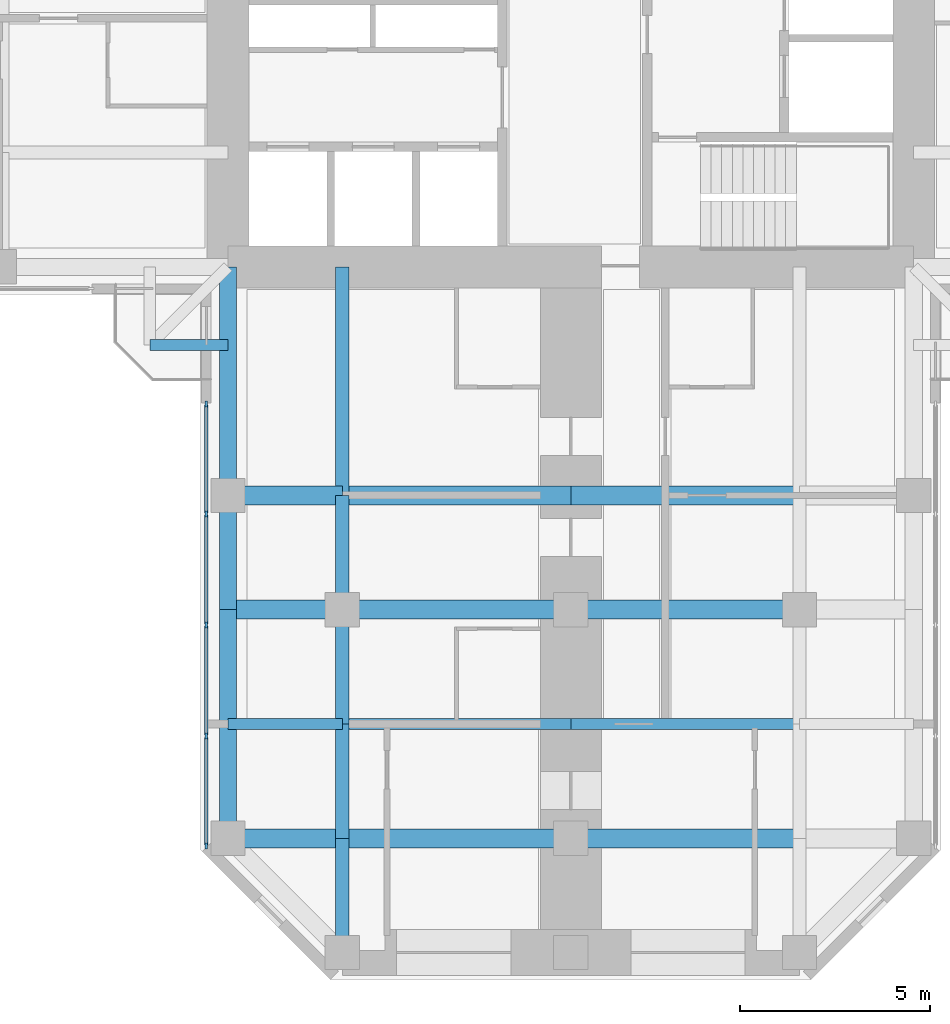
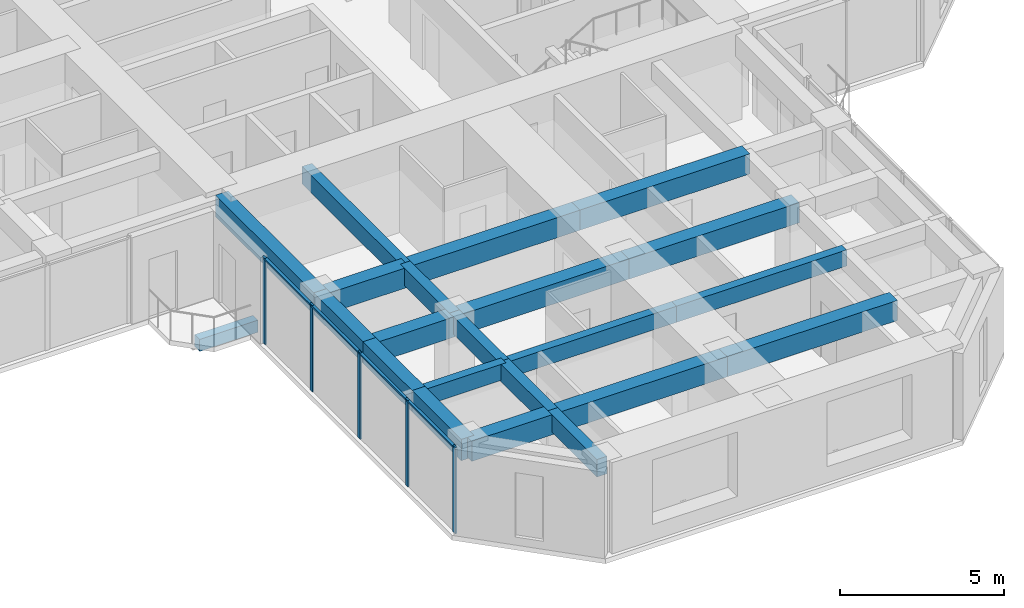
# One storey, part 2 of 14: 22 beams, 9 members, 1 element without a shape of its own.
"""IFC4 building model written with IfcOpenShell, lengths in metres."""

from ifc_helpers import new_model, si_unit, direction, frame, origin, origin_2d, place, context, subcontext, project, spatial, rectangle, extrude, material, material_profile, profile_set, type_object, element, aggregate, save


model = new_model("IFC4")

# Units and contexts
model_context = context("Model", 3, precision=1e-05, world=origin(), true_north=direction((0.0, 1.0)))
body_context = subcontext(model_context, "Body", "Model", "MODEL_VIEW")
ifc_project = project(units=[si_unit("LENGTHUNIT", "METRE"), si_unit("AREAUNIT", "SQUARE_METRE"), si_unit("VOLUMEUNIT", "CUBIC_METRE"), si_unit("PLANEANGLEUNIT", "RADIAN"), si_unit("MASSUNIT", "GRAM", prefix="KILO")], contexts=[model_context])

# Site, building, storey
site_placement = place(None, origin())
site = spatial("IfcSite", under=ifc_project, at=site_placement, CompositionType="ELEMENT")
building_placement = place(site_placement, origin())
building = spatial("IfcBuilding", under=site, at=building_placement, Name="Torre Cruceta", CompositionType="ELEMENT")
storey_placement = place(building_placement, frame((0.0, 0.0, 203.5)))
storey = spatial("IfcBuildingStorey", under=building, at=storey_placement, Name="L51", CompositionType="ELEMENT", Elevation=203.5)

# Beams
ifc_material_1 = material(Name="Concrete G60 (fck 60 MPa)", Category="concrete")
ifc_material_profile_1 = material_profile(ifc_material_1, rectangle(XDim=0.300048828125, YDim=0.449951171875, at=origin_2d()), Name="RC 300X450")
ifc_profile_set_1 = profile_set([ifc_material_profile_1], Name="Concrete G60 (fck 60 MPa)")
beam_type_1 = type_object("IfcBeamType", Name="BALCONY CANTILEVER BEAM RC 300X450", PredefinedType="BEAM", material=ifc_profile_set_1)
beam_1_placement = place(storey_placement, frame((-9.0, -11.050537109375, -0.405029296875), z_axis=(-1.0, 0.0, 0.0), x_axis=(0.0, -1.0, 0.0)))
element("IfcBeam", 1, at=beam_1_placement, inside=storey, type_object=beam_type_1, Name="BB1 balcony edge beam L51 W-Y", PredefinedType="BEAM", context=body_context, shape_type="SweptSolid", body=[
    extrude(rectangle(XDim=0.300048828125, YDim=0.449951171875, at=origin_2d()), origin(), (0.0, 0.0, 1.0), 2.050537109375),
])
ifc_material_2 = material(Name="Concrete G60 (fck 60 MPa)", Category="concrete")
ifc_material_profile_2 = material_profile(ifc_material_2, rectangle(XDim=0.35009765625, YDim=0.64990234375, at=origin_2d()), Name="RC 350X650")
ifc_profile_set_2 = profile_set([ifc_material_profile_2], Name="Concrete G60 (fck 60 MPa)")
beam_type_2 = type_object("IfcBeamType", Name="COLUMN LINE BEAM RC 350X650", PredefinedType="BEAM", material=ifc_profile_set_2)
beam_2_placement = place(storey_placement, frame((-6.0, -9.0, 2.89501953125), z_axis=(0.0, -1.0, 0.0), x_axis=(1.0, 0.0, 0.0)))
element("IfcBeam", 2, at=beam_2_placement, inside=storey, type_object=beam_type_2, Name="LB7 L51 S col- 1", PredefinedType="BEAM", context=body_context, shape_type="SweptSolid", body=[
    extrude(rectangle(XDim=0.35009765625, YDim=0.64990234375, at=origin_2d()), origin(), (0.0, 0.0, 1.0), 6.0),
])
for number, where, z_axis, x_axis, name in (
    (3, (-6.0, -15.0, 2.89501953125), (0.0, -1.0, 0.0), (1.0, 0.0, 0.0), "LB7 L51 S col- 2"),
    (4, (-6.0, -18.0, 2.89501953125), (0.0, -1.0, 0.0), (1.0, 0.0, 0.0), "LB7 L51 S col- 3"),
    (5, (-6.0, -21.0, 2.89501953125), (0.0, -1.0, 0.0), (1.0, 0.0, 0.0), "LB7 L51 S col- 4"),
    (6, (-6.0, -24.0, 2.89501953125), (0.0, -1.0, 0.0), (1.0, 0.0, 0.0), "LB7 L51 S col- 5"),
):
    element("IfcBeam", number, at=place(storey_placement, frame(where, z_axis=z_axis, x_axis=x_axis)), inside=storey, type_object=beam_type_2, Name=name, PredefinedType="BEAM", context=body_context, shape_type="SweptSolid", body=[
        extrude(rectangle(XDim=0.35009765625, YDim=0.64990234375, at=origin_2d()), origin(), (0.0, 0.0, 1.0), 3.0),
    ])
ifc_material_3 = material(Name="Concrete G60 (fck 60 MPa)", Category="concrete")
ifc_material_profile_3 = material_profile(ifc_material_3, rectangle(XDim=0.5, YDim=0.75, at=origin_2d()), Name="RC 500X750")
ifc_profile_set_3 = profile_set([ifc_material_profile_3], Name="Concrete G60 (fck 60 MPa)")
beam_type_3 = type_object("IfcBeamType", Name="CROSS BEAM RC 500X750", PredefinedType="BEAM", material=ifc_profile_set_3)
beam_3_placement = place(storey_placement, frame((-9.0, -15.0, 2.844970703125), z_axis=(1.0, 0.0, 0.0), x_axis=(0.0, 1.0, 0.0)))
element("IfcBeam", 7, at=beam_3_placement, inside=storey, type_object=beam_type_3, Name="GB6 L51 S cross15 1", PredefinedType="BEAM", context=body_context, shape_type="SweptSolid", body=[
    extrude(rectangle(XDim=0.5, YDim=0.75, at=origin_2d()), origin(), (0.0, 0.0, 1.0), 3.0),
])
for number, where, z_axis, x_axis, name in (
    (8, (-6.0, -15.0, 2.844970703125), (1.0, 0.0, 0.0), (0.0, 1.0, 0.0), "GB6 L51 S cross15 2"),
    (9, (0.0, -15.0, 2.844970703125), (1.0, 0.0, 0.0), (0.0, 1.0, 0.0), "GB6 L51 S cross15 3"),
):
    element("IfcBeam", number, at=place(storey_placement, frame(where, z_axis=z_axis, x_axis=x_axis)), inside=storey, type_object=beam_type_3, Name=name, PredefinedType="BEAM", context=body_context, shape_type="SweptSolid", body=[
        extrude(rectangle(XDim=0.5, YDim=0.75, at=origin_2d()), origin(), (0.0, 0.0, 1.0), 6.0),
    ])
beam_4_placement = place(storey_placement, frame((-9.0, -18.0, 2.844970703125), z_axis=(1.0, 0.0, 0.0), x_axis=(0.0, 1.0, 0.0)))
element("IfcBeam", 10, at=beam_4_placement, inside=storey, type_object=beam_type_3, Name="GB6 L51 S cross18 1", PredefinedType="BEAM", context=body_context, shape_type="SweptSolid", body=[
    extrude(rectangle(XDim=0.5, YDim=0.75, at=origin_2d()), origin(), (0.0, 0.0, 1.0), 3.0),
])
for number, where, z_axis, x_axis, name in (
    (11, (-6.0, -18.0, 2.844970703125), (1.0, 0.0, 0.0), (0.0, 1.0, 0.0), "GB6 L51 S cross18 2"),
    (12, (0.0, -18.0, 2.844970703125), (1.0, 0.0, 0.0), (0.0, 1.0, 0.0), "GB6 L51 S cross18 3"),
):
    element("IfcBeam", number, at=place(storey_placement, frame(where, z_axis=z_axis, x_axis=x_axis)), inside=storey, type_object=beam_type_3, Name=name, PredefinedType="BEAM", context=body_context, shape_type="SweptSolid", body=[
        extrude(rectangle(XDim=0.5, YDim=0.75, at=origin_2d()), origin(), (0.0, 0.0, 1.0), 6.0),
    ])
beam_5_placement = place(storey_placement, frame((-9.0, -24.0, 2.844970703125), z_axis=(1.0, 0.0, 0.0), x_axis=(0.0, 1.0, 0.0)))
element("IfcBeam", 13, at=beam_5_placement, inside=storey, type_object=beam_type_3, Name="GB6 L51 S cross24 1", PredefinedType="BEAM", context=body_context, shape_type="SweptSolid", body=[
    extrude(rectangle(XDim=0.5, YDim=0.75, at=origin_2d()), origin(), (0.0, 0.0, 1.0), 3.0),
])
for number, where, z_axis, x_axis, name in (
    (14, (-6.0, -24.0, 2.844970703125), (1.0, 0.0, 0.0), (0.0, 1.0, 0.0), "GB6 L51 S cross24 2"),
    (15, (0.0, -24.0, 2.844970703125), (1.0, 0.0, 0.0), (0.0, 1.0, 0.0), "GB6 L51 S cross24 3"),
):
    element("IfcBeam", number, at=place(storey_placement, frame(where, z_axis=z_axis, x_axis=x_axis)), inside=storey, type_object=beam_type_3, Name=name, PredefinedType="BEAM", context=body_context, shape_type="SweptSolid", body=[
        extrude(rectangle(XDim=0.5, YDim=0.75, at=origin_2d()), origin(), (0.0, 0.0, 1.0), 6.0),
    ])

# Curtain wall, members
ifc_material_4 = material(Name="Aluminium unitised curtain wall", Category="aluminium")
curtain_wall_type = type_object("IfcCurtainWallType", Name="CURTAIN WALL CW-C CO-LIVING", PredefinedType="USERDEFINED", material=ifc_material_4)
curtain_wall_placement = place(storey_placement, origin())
curtain_wall = element("IfcCurtainWall", 16, at=curtain_wall_placement, inside=storey, type_object=curtain_wall_type, Name="CW-C L51 S side 15", ObjectType="UNITISED", PredefinedType="USERDEFINED")
ifc_material_5 = material(Name="Aluminium mullion", Category="aluminium")
ifc_material_profile_4 = material_profile(ifc_material_5, rectangle(XDim=0.06005859375, YDim=0.159912109375, at=origin_2d()), Name="AL 60X160")
ifc_profile_set_4 = profile_set([ifc_material_profile_4], Name="Aluminium mullion")
member_type_1 = type_object("IfcMemberType", Name="CW-C MULLION 60X160", PredefinedType="MULLION", material=ifc_profile_set_4)
member_1_placement = place(storey_placement, frame((-9.570068359375, -12.60009765625, 0.0), z_axis=(0.0, 0.0, 1.0), x_axis=(1.0, 0.0, 0.0)))
member_1 = element("IfcMember", 17, at=member_1_placement, type_object=member_type_1, Name="CW-C mullion 1", PredefinedType="MULLION", context=body_context, shape_type="SweptSolid", body=[
    extrude(rectangle(XDim=0.06005859375, YDim=0.159912109375, at=origin_2d()), origin(), (0.0, 0.0, 1.0), 3.219970703125),
])
member_2_placement = place(storey_placement, frame((-9.570068359375, -15.486572265625, 0.0), z_axis=(0.0, 0.0, 1.0), x_axis=(1.0, 0.0, 0.0)))
member_2 = element("IfcMember", 18, at=member_2_placement, type_object=member_type_1, Name="CW-C mullion 2", PredefinedType="MULLION", context=body_context, shape_type="SweptSolid", body=[
    extrude(rectangle(XDim=0.06005859375, YDim=0.159912109375, at=origin_2d()), origin(), (0.0, 0.0, 1.0), 3.219970703125),
])
member_3_placement = place(storey_placement, frame((-9.570068359375, -18.403076171875, 0.0), z_axis=(0.0, 0.0, 1.0), x_axis=(1.0, 0.0, 0.0)))
member_3 = element("IfcMember", 19, at=member_3_placement, type_object=member_type_1, Name="CW-C mullion 3", PredefinedType="MULLION", context=body_context, shape_type="SweptSolid", body=[
    extrude(rectangle(XDim=0.06005859375, YDim=0.159912109375, at=origin_2d()), origin(), (0.0, 0.0, 1.0), 3.219970703125),
])
member_4_placement = place(storey_placement, frame((-9.570068359375, -21.319580078125, 0.0), z_axis=(0.0, 0.0, 1.0), x_axis=(1.0, 0.0, 0.0)))
member_4 = element("IfcMember", 20, at=member_4_placement, type_object=member_type_1, Name="CW-C mullion 4", PredefinedType="MULLION", context=body_context, shape_type="SweptSolid", body=[
    extrude(rectangle(XDim=0.06005859375, YDim=0.159912109375, at=origin_2d()), origin(), (0.0, 0.0, 1.0), 3.219970703125),
])
member_5_placement = place(storey_placement, frame((-9.570068359375, -24.2060546875, 0.0), z_axis=(0.0, 0.0, 1.0), x_axis=(1.0, 0.0, 0.0)))
member_5 = element("IfcMember", 21, at=member_5_placement, type_object=member_type_1, Name="CW-C mullion 5", PredefinedType="MULLION", context=body_context, shape_type="SweptSolid", body=[
    extrude(rectangle(XDim=0.06005859375, YDim=0.159912109375, at=origin_2d()), origin(), (0.0, 0.0, 1.0), 3.219970703125),
])
ifc_material_6 = material(Name="Aluminium transom", Category="aluminium")
ifc_material_profile_5 = material_profile(ifc_material_6, rectangle(XDim=0.10009765625, YDim=0.06005859375, at=origin_2d()), Name="AL 100X60")
ifc_profile_set_5 = profile_set([ifc_material_profile_5], Name="Aluminium transom")
member_type_2 = type_object("IfcMemberType", Name="CW-C TRANSOM 60X100", PredefinedType="USERDEFINED", material=ifc_profile_set_5)
member_6_placement = place(storey_placement, frame((-9.570068359375, -12.6298828125, 3.18994140625), z_axis=(0.0, -1.0, 0.0), x_axis=(1.0, 0.0, 0.0)))
member_6 = element("IfcMember", 22, at=member_6_placement, type_object=member_type_2, Name="CW-C transom 1", ObjectType="TRANSOM", PredefinedType="USERDEFINED", context=body_context, shape_type="SweptSolid", body=[
    extrude(rectangle(XDim=0.10009765625, YDim=0.06005859375, at=origin_2d()), origin(), (0.0, 0.0, 1.0), 2.82666015625),
])
member_7_placement = place(storey_placement, frame((-9.570068359375, -15.5166015625, 3.18994140625), z_axis=(0.0, -1.0, 0.0), x_axis=(1.0, 0.0, 0.0)))
member_7 = element("IfcMember", 23, at=member_7_placement, type_object=member_type_2, Name="CW-C transom 2", ObjectType="TRANSOM", PredefinedType="USERDEFINED", context=body_context, shape_type="SweptSolid", body=[
    extrude(rectangle(XDim=0.10009765625, YDim=0.06005859375, at=origin_2d()), origin(), (0.0, 0.0, 1.0), 2.8564453125),
])
member_8_placement = place(storey_placement, frame((-9.570068359375, -18.43310546875, 3.18994140625), z_axis=(0.0, -1.0, 0.0), x_axis=(1.0, 0.0, 0.0)))
member_8 = element("IfcMember", 24, at=member_8_placement, type_object=member_type_2, Name="CW-C transom 3", ObjectType="TRANSOM", PredefinedType="USERDEFINED", context=body_context, shape_type="SweptSolid", body=[
    extrude(rectangle(XDim=0.10009765625, YDim=0.06005859375, at=origin_2d()), origin(), (0.0, 0.0, 1.0), 2.8564453125),
])
member_9_placement = place(storey_placement, frame((-9.570068359375, -21.349609375, 3.18994140625), z_axis=(0.0, -1.0, 0.0), x_axis=(1.0, 0.0, 0.0)))
member_9 = element("IfcMember", 25, at=member_9_placement, type_object=member_type_2, Name="CW-C transom 4", ObjectType="TRANSOM", PredefinedType="USERDEFINED", context=body_context, shape_type="SweptSolid", body=[
    extrude(rectangle(XDim=0.10009765625, YDim=0.06005859375, at=origin_2d()), origin(), (0.0, 0.0, 1.0), 2.826416015625),
])
aggregate(curtain_wall, [member_1, member_2, member_3, member_4, member_5, member_6, member_7, member_8, member_9])

# Beams
ifc_material_7 = material(Name="Concrete G60 (fck 60 MPa)", Category="concrete")
ifc_material_profile_6 = material_profile(ifc_material_7, rectangle(XDim=0.300048828125, YDim=0.60009765625, at=origin_2d()), Name="RC 300X600")
ifc_profile_set_6 = profile_set([ifc_material_profile_6], Name="Concrete G60 (fck 60 MPa)")
beam_type_4 = type_object("IfcBeamType", Name="SECONDARY BEAM RC 300X600", PredefinedType="JOIST", material=ifc_profile_set_6)
beam_6_placement = place(storey_placement, frame((-9.0, -21.0, 2.919921875), z_axis=(1.0, 0.0, 0.0), x_axis=(0.0, 1.0, 0.0)))
element("IfcBeam", 26, at=beam_6_placement, inside=storey, type_object=beam_type_4, Name="JB6 L51 S sec21 1", PredefinedType="JOIST", context=body_context, shape_type="SweptSolid", body=[
    extrude(rectangle(XDim=0.300048828125, YDim=0.60009765625, at=origin_2d()), origin(), (0.0, 0.0, 1.0), 3.0),
])
for number, where, z_axis, x_axis, name in (
    (27, (-6.0, -21.0, 2.919921875), (1.0, 0.0, 0.0), (0.0, 1.0, 0.0), "JB6 L51 S sec21 2"),
    (28, (0.0, -21.0, 2.919921875), (1.0, 0.0, 0.0), (0.0, 1.0, 0.0), "JB6 L51 S sec21 3"),
):
    element("IfcBeam", number, at=place(storey_placement, frame(where, z_axis=z_axis, x_axis=x_axis)), inside=storey, type_object=beam_type_4, Name=name, PredefinedType="JOIST", context=body_context, shape_type="SweptSolid", body=[
        extrude(rectangle(XDim=0.300048828125, YDim=0.60009765625, at=origin_2d()), origin(), (0.0, 0.0, 1.0), 6.0),
    ])
ifc_material_8 = material(Name="Concrete G60 (fck 60 MPa)", Category="concrete")
ifc_material_profile_7 = material_profile(ifc_material_8, rectangle(XDim=0.449951171875, YDim=0.800048828125, at=origin_2d()), Name="RC 450X800")
ifc_profile_set_7 = profile_set([ifc_material_profile_7], Name="Concrete G60 (fck 60 MPa)")
beam_type_5 = type_object("IfcBeamType", Name="SPANDREL BEAM RC 450X800", PredefinedType="SPANDREL", material=ifc_profile_set_7)
beam_7_placement = place(storey_placement, frame((-9.0, -9.0, 2.820068359375), z_axis=(0.0, -1.0, 0.0), x_axis=(1.0, 0.0, 0.0)))
element("IfcBeam", 29, at=beam_7_placement, inside=storey, type_object=beam_type_5, Name="SB6 L51 S side- 1", PredefinedType="SPANDREL", context=body_context, shape_type="SweptSolid", body=[
    extrude(rectangle(XDim=0.449951171875, YDim=0.800048828125, at=origin_2d()), origin(), (0.0, 0.0, 1.0), 6.0),
])
for number, where, z_axis, x_axis, name in (
    (30, (-9.0, -15.0, 2.820068359375), (0.0, -1.0, 0.0), (1.0, 0.0, 0.0), "SB6 L51 S side- 2"),
    (31, (-9.0, -18.0, 2.820068359375), (0.0, -1.0, 0.0), (1.0, 0.0, 0.0), "SB6 L51 S side- 3"),
    (32, (-9.0, -21.0, 2.820068359375), (0.0, -1.0, 0.0), (1.0, 0.0, 0.0), "SB6 L51 S side- 4"),
):
    element("IfcBeam", number, at=place(storey_placement, frame(where, z_axis=z_axis, x_axis=x_axis)), inside=storey, type_object=beam_type_5, Name=name, PredefinedType="SPANDREL", context=body_context, shape_type="SweptSolid", body=[
        extrude(rectangle(XDim=0.449951171875, YDim=0.800048828125, at=origin_2d()), origin(), (0.0, 0.0, 1.0), 3.0),
    ])

save(model, "model.ifc")
